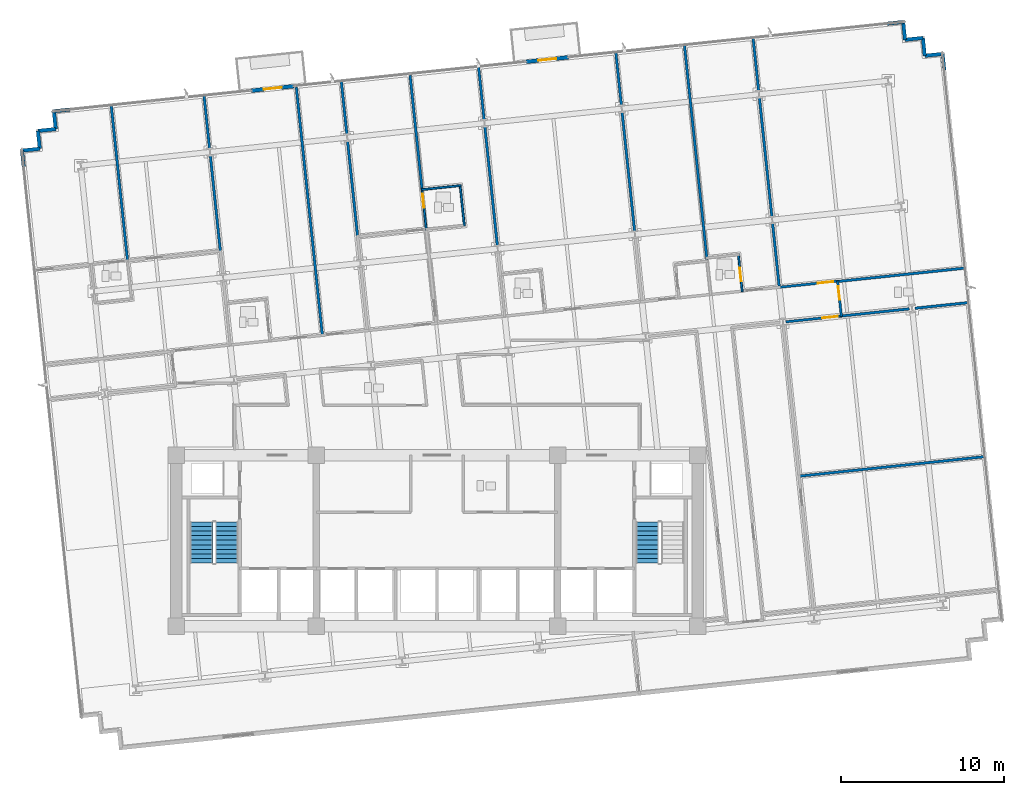
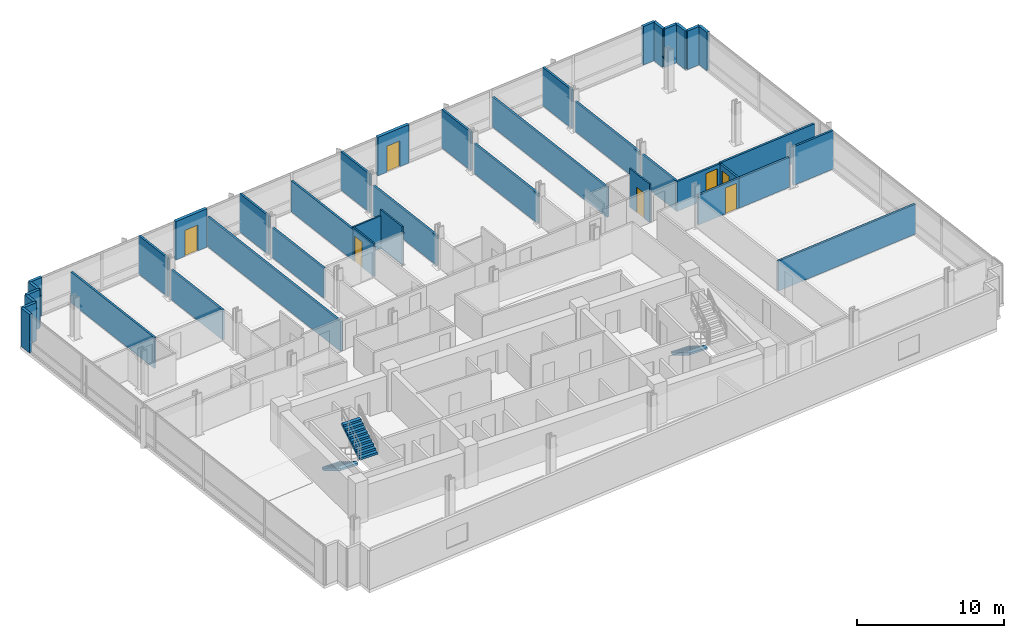
# One storey, part 13 of 20: 40 walls, 7 doors, 3 stair flights, 7 openings, 2 elements without a shape of their own.
"""IFC4 building model written with IfcOpenShell, lengths in metres."""

from ifc_helpers import new_model, si_unit, direction, frame, frame_2d, origin, place, context, subcontext, project, spatial, polyline, rectangle, outline, extrude, material, layer, layer_set, type_object, element, fill, aggregate, save


model = new_model("IFC4")

# Units and contexts
model_context = context("Model", 3, precision=1e-05, world=origin(), true_north=direction((0.0, 1.0)))
body_context = subcontext(model_context, "Body", "Model", "MODEL_VIEW")
ifc_project = project(units=[si_unit("LENGTHUNIT", "METRE"), si_unit("AREAUNIT", "SQUARE_METRE"), si_unit("VOLUMEUNIT", "CUBIC_METRE"), si_unit("PLANEANGLEUNIT", "RADIAN"), si_unit("MASSUNIT", "GRAM", prefix="KILO")], contexts=[model_context])

# Site, building, storey
site_placement = place(None, origin())
site = spatial("IfcSite", under=ifc_project, at=site_placement, CompositionType="ELEMENT")
building_placement = place(site_placement, origin())
building = spatial("IfcBuilding", under=site, at=building_placement, Name="Solmavex Isthmus Hotel", CompositionType="ELEMENT")
storey_placement = place(building_placement, frame((0.0, 0.0, 87.0)))
storey = spatial("IfcBuildingStorey", under=building, at=storey_placement, Name="L23", CompositionType="ELEMENT", Elevation=87.0)

# Wall, opening, door
ifc_material_1 = material(Name="Precast Concrete C40/50", Category="concrete")
ifc_layer_1 = layer(ifc_material_1, 0.25)
ifc_layer_set_1 = layer_set([ifc_layer_1], Name="Precast Concrete C40/50")
wall_type_1 = type_object("IfcWallType", Name="EW-TWR-250", PredefinedType="STANDARD", material=ifc_layer_set_1)
wall_1_placement = place(storey_placement, frame((-11.374267578125, 19.859130859375, 0.0), z_axis=(0.0, 0.0, 1.0), x_axis=(0.994524472508, 0.104503940512, 0.0)))
wall_1 = element("IfcWall", 1, at=wall_1_placement, inside=storey, type_object=wall_type_1, Name="Exterior Balcony Door Wall L23-2", PredefinedType="STANDARD", context=body_context, shape_type="SweptSolid", body=[
    extrude(rectangle(XDim=2.60009765625, YDim=0.239990234375, at=frame_2d((1.300048828125, 0.0))), origin(), (0.0, 0.0, 1.0), 3.18994140625),
])
opening_1_placement = place(wall_1_placement, frame((0.75, 0.0, 0.0)))
opening_1 = element("IfcOpeningElement", 2, at=opening_1_placement, cuts=wall_1, Name="Opening ED-02", PredefinedType="OPENING", context=body_context, shape_type="SweptSolid", body=[
    extrude(rectangle(XDim=1.10009765625, YDim=2.14990234375, at=frame_2d((0.550048828125, 1.074951171875))), frame((0.0, 0.1298828125, 0.0), z_axis=(0.0, -1.0, 0.0), x_axis=(1.0, 0.0, 0.0)), (0.0, 0.0, 1.0), 0.260009765625),
])
ifc_material_2 = material(Name="Aluminium alloy 6063-T6", Category="aluminium")
door_type_1 = type_object("IfcDoorType", Name="EDR-BALC-1100", OperationType="NOTDEFINED", PredefinedType="DOOR", material=ifc_material_2)
door_1_placement = place(opening_1_placement, origin())
door_1 = element("IfcDoor", 3, at=door_1_placement, inside=storey, type_object=door_type_1, Name="Balcony & Terrace Glazed Door L23-2", OperationType="SINGLE_SWING_RIGHT", OverallHeight=2.14990234375, OverallWidth=1.10009765625, PredefinedType="DOOR", context=body_context, shape_type="SweptSolid", body=[
    extrude(rectangle(XDim=1.10009765625, YDim=2.14990234375, at=frame_2d((0.550048828125, 1.074951171875))), frame((0.0, 0.02490234375, 0.0), z_axis=(0.0, -1.0, 0.0), x_axis=(1.0, 0.0, 0.0)), (0.0, 0.0, 1.0), 0.050048828125),
])
fill(opening_1, door_1)

wall_2_placement = place(storey_placement, frame((5.465087890625, 21.629150390625, 0.0), z_axis=(0.0, 0.0, 1.0), x_axis=(0.994523446942, 0.104513699976, 0.0)))
wall_2 = element("IfcWall", 4, at=wall_2_placement, inside=storey, type_object=wall_type_1, Name="Exterior Balcony Door Wall L23-3", PredefinedType="STANDARD", context=body_context, shape_type="SweptSolid", body=[
    extrude(rectangle(XDim=2.599853515625, YDim=0.239990234375, at=frame_2d((1.2998046875, 0.0))), origin(), (0.0, 0.0, 1.0), 3.18994140625),
])
opening_2_placement = place(wall_2_placement, frame((0.75, 0.0, 0.0)))
opening_2 = element("IfcOpeningElement", 5, at=opening_2_placement, cuts=wall_2, Name="Opening ED-02", PredefinedType="OPENING", context=body_context, shape_type="SweptSolid", body=[
    extrude(rectangle(XDim=1.10009765625, YDim=2.14990234375, at=frame_2d((0.550048828125, 1.074951171875))), frame((0.0, 0.1298828125, 0.0), z_axis=(0.0, -1.0, 0.0), x_axis=(1.0, 0.0, 0.0)), (0.0, 0.0, 1.0), 0.260009765625),
])
door_2_placement = place(opening_2_placement, origin())
door_2 = element("IfcDoor", 6, at=door_2_placement, inside=storey, type_object=door_type_1, Name="Balcony & Terrace Glazed Door L23-3", OperationType="SINGLE_SWING_LEFT", OverallHeight=2.14990234375, OverallWidth=1.10009765625, PredefinedType="DOOR", context=body_context, shape_type="SweptSolid", body=[
    extrude(rectangle(XDim=1.10009765625, YDim=2.14990234375, at=frame_2d((0.550048828125, 1.074951171875))), frame((0.0, 0.02490234375, 0.0), z_axis=(0.0, -1.0, 0.0), x_axis=(1.0, 0.0, 0.0)), (0.0, 0.0, 1.0), 0.050048828125),
])
fill(opening_2, door_2)

# Walls
wall_3_placement = place(storey_placement, frame((-25.35400390625, 15.1923828125, 0.0), z_axis=(0.0, 0.0, 1.0), x_axis=(-0.104556418955, 0.99451895671, 0.0)))
element("IfcWall", 7, at=wall_3_placement, inside=storey, type_object=wall_type_1, Name="Serrated Corner Facade Panel L23-07", PredefinedType="STANDARD", context=body_context, shape_type="SweptSolid", body=[
    extrude(rectangle(XDim=0.989990234375, YDim=0.219970703125, at=frame_2d((0.4951171875, 0.0))), origin(), (0.0, 0.0, 1.0), 3.18994140625),
])
wall_4_placement = place(storey_placement, frame((-25.45751953125, 16.177001953125, 0.0), z_axis=(0.0, 0.0, 1.0), x_axis=(0.994521251134, 0.104534592565, 0.0)))
element("IfcWall", 8, at=wall_4_placement, inside=storey, type_object=wall_type_1, Name="Serrated Corner Facade Panel L23-08", PredefinedType="STANDARD", context=body_context, shape_type="SweptSolid", body=[
    extrude(rectangle(XDim=1.10009765625, YDim=0.219970703125, at=frame_2d((0.550048828125, 0.0))), origin(), (0.0, 0.0, 1.0), 3.18994140625),
])
wall_5_placement = place(storey_placement, frame((-24.363525390625, 16.2919921875, 0.0), z_axis=(0.0, 0.0, 1.0), x_axis=(-0.104557671117, 0.994518825066, 0.0)))
element("IfcWall", 9, at=wall_5_placement, inside=storey, type_object=wall_type_1, Name="Serrated Corner Facade Panel L23-09", PredefinedType="STANDARD", context=body_context, shape_type="SweptSolid", body=[
    extrude(rectangle(XDim=1.099853515625, YDim=0.219970703125, at=frame_2d((0.5498046875, 0.0))), origin(), (0.0, 0.0, 1.0), 3.18994140625),
])
for number, where, z_axis, x_axis, name in (
    (10, (-24.478515625, 17.3857421875, 0.0), (0.0, 0.0, 1.0), (0.994521251134, 0.104534592565, 0.0), "Serrated Corner Facade Panel L23-10"),
    (11, (-23.384521484375, 17.500732421875, 0.0), (0.0, 0.0, 1.0), (-0.104534592565, 0.994521251134, 0.0), "Serrated Corner Facade Panel L23-11"),
):
    element("IfcWall", number, at=place(storey_placement, frame(where, z_axis=z_axis, x_axis=x_axis)), inside=storey, type_object=wall_type_1, Name=name, PredefinedType="STANDARD", context=body_context, shape_type="SweptSolid", body=[
        extrude(rectangle(XDim=1.10009765625, YDim=0.219970703125, at=frame_2d((0.550048828125, 0.0))), origin(), (0.0, 0.0, 1.0), 3.18994140625),
    ])
wall_6_placement = place(storey_placement, frame((-23.49951171875, 18.5947265625, 0.0), z_axis=(0.0, 0.0, 1.0), x_axis=(0.99451895671, 0.104556418955, 0.0)))
element("IfcWall", 12, at=wall_6_placement, inside=storey, type_object=wall_type_1, Name="Serrated Corner Facade Panel L23-12", PredefinedType="STANDARD", context=body_context, shape_type="SweptSolid", body=[
    extrude(rectangle(XDim=0.989990234375, YDim=0.219970703125, at=frame_2d((0.4951171875, 0.0))), origin(), (0.0, 0.0, 1.0), 3.18994140625),
])
wall_7_placement = place(storey_placement, frame((27.609130859375, 23.966552734375, 0.0), z_axis=(0.0, 0.0, 1.0), x_axis=(0.994516259927, 0.104582067016, 0.0)))
element("IfcWall", 13, at=wall_7_placement, inside=storey, type_object=wall_type_1, Name="Serrated Corner Facade Panel L23-14", PredefinedType="STANDARD", context=body_context, shape_type="SweptSolid", body=[
    extrude(rectangle(XDim=0.98974609375, YDim=0.219970703125, at=frame_2d((0.494873046875, 0.0))), origin(), (0.0, 0.0, 1.0), 3.18994140625),
])
for number, where, z_axis, x_axis, name in (
    (14, (28.593505859375, 24.070068359375, 0.0), (0.0, 0.0, 1.0), (0.104534592565, -0.994521251134, 0.0), "Serrated Corner Facade Panel L23-15"),
    (15, (28.70849609375, 22.97607421875, 0.0), (0.0, 0.0, 1.0), (0.994521251134, 0.104534592565, 0.0), "Serrated Corner Facade Panel L23-16"),
    (16, (29.802490234375, 23.091064453125, 0.0), (0.0, 0.0, 1.0), (0.104534592565, -0.994521251134, 0.0), "Serrated Corner Facade Panel L23-17"),
    (17, (29.91748046875, 21.9970703125, 0.0), (0.0, 0.0, 1.0), (0.994521251134, 0.104534592565, 0.0), "Serrated Corner Facade Panel L23-18"),
):
    element("IfcWall", number, at=place(storey_placement, frame(where, z_axis=z_axis, x_axis=x_axis)), inside=storey, type_object=wall_type_1, Name=name, PredefinedType="STANDARD", context=body_context, shape_type="SweptSolid", body=[
        extrude(rectangle(XDim=1.10009765625, YDim=0.219970703125, at=frame_2d((0.550048828125, 0.0))), origin(), (0.0, 0.0, 1.0), 3.18994140625),
    ])
wall_8_placement = place(storey_placement, frame((31.011474609375, 22.112060546875, 0.0), z_axis=(0.0, 0.0, 1.0), x_axis=(0.104556418955, -0.99451895671, 0.0)))
element("IfcWall", 18, at=wall_8_placement, inside=storey, type_object=wall_type_1, Name="Serrated Corner Facade Panel L23-19", PredefinedType="STANDARD", context=body_context, shape_type="SweptSolid", body=[
    extrude(rectangle(XDim=0.989990234375, YDim=0.219970703125, at=frame_2d((0.4951171875, 0.0))), origin(), (0.0, 0.0, 1.0), 3.18994140625),
])
ifc_material_3 = material(Name="Gypsum plasterboard lining", Category="gypsum")
ifc_layer_2 = layer(ifc_material_3, 0.159912109375)
ifc_layer_set_2 = layer_set([ifc_layer_2], Name="Gypsum plasterboard lining")
wall_type_2 = type_object("IfcWallType", Name="IW-COMP-160", PredefinedType="PARTITIONING", material=ifc_layer_set_2)
wall_9_placement = place(storey_placement, frame((-19.988037109375, 18.994140625, 0.0), z_axis=(0.0, 0.0, 1.0), x_axis=(0.104533521725, -0.99452136369, 0.0)))
element("IfcWall", 19, at=wall_9_placement, inside=storey, type_object=wall_type_2, Name="Interior Partition Wall W-L23-P047", PredefinedType="PARTITIONING", context=body_context, shape_type="SweptSolid", body=[
    extrude(rectangle(XDim=9.662109375, YDim=0.159912109375, at=frame_2d((4.8310546875, 0.0))), origin(), (0.0, 0.0, 1.0), 2.55322265625),
])
wall_10_placement = place(storey_placement, frame((-14.29541015625, 19.59228515625, 0.0), z_axis=(0.0, 0.0, 1.0), x_axis=(0.10455555946, -0.99451904707, 0.0)))
element("IfcWall", 20, at=wall_10_placement, inside=storey, type_object=wall_type_2, Name="Interior Partition Wall W-L23-P049", PredefinedType="PARTITIONING", context=body_context, shape_type="SweptSolid", body=[
    extrude(rectangle(XDim=3.34375, YDim=0.159912109375, at=frame_2d((1.671875, 0.0))), origin(), (0.0, 0.0, 1.0), 3.18994140625),
])
wall_11_placement = place(storey_placement, frame((-13.908935546875, 15.91650390625, 0.0), z_axis=(0.0, 0.0, 1.0), x_axis=(0.10451862243, -0.994522929633, 0.0)))
element("IfcWall", 21, at=wall_11_placement, inside=storey, type_object=wall_type_2, Name="Interior Partition Wall W-L23-P050", PredefinedType="PARTITIONING", context=body_context, shape_type="SweptSolid", body=[
    extrude(rectangle(XDim=5.9658203125, YDim=0.159912109375, at=frame_2d((2.98291015625, 0.0))), origin(), (0.0, 0.0, 1.0), 2.4794921875),
])
wall_12_placement = place(storey_placement, frame((-8.630859375, 20.067138671875, 0.0), z_axis=(0.0, 0.0, 1.0), x_axis=(0.10453068975, -0.994521661353, 0.0)))
element("IfcWall", 22, at=wall_12_placement, inside=storey, type_object=wall_type_2, Name="Interior Partition Wall W-L23-P053", PredefinedType="PARTITIONING", context=body_context, shape_type="SweptSolid", body=[
    extrude(rectangle(XDim=15.340087890625, YDim=0.159912109375, at=frame_2d((7.669921875, 0.0))), origin(), (0.0, 0.0, 1.0), 2.4794921875),
])
wall_13_placement = place(storey_placement, frame((-5.875732421875, 20.477294921875, 0.0), z_axis=(0.0, 0.0, 1.0), x_axis=(0.10455555946, -0.99451904707, 0.0)))
element("IfcWall", 23, at=wall_13_placement, inside=storey, type_object=wall_type_2, Name="Interior Partition Wall W-L23-P056", PredefinedType="PARTITIONING", context=body_context, shape_type="SweptSolid", body=[
    extrude(rectangle(XDim=3.34375, YDim=0.159912109375, at=frame_2d((1.671875, 0.0))), origin(), (0.0, 0.0, 1.0), 3.18994140625),
])
wall_14_placement = place(storey_placement, frame((-5.4892578125, 16.80126953125, 0.0), z_axis=(0.0, 0.0, 1.0), x_axis=(0.104519783483, -0.994522807612, 0.0)))
element("IfcWall", 24, at=wall_14_placement, inside=storey, type_object=wall_type_2, Name="Interior Partition Wall W-L23-P057", PredefinedType="PARTITIONING", context=body_context, shape_type="SweptSolid", body=[
    extrude(rectangle(XDim=6.0078125, YDim=0.159912109375, at=frame_2d((3.00390625, 0.0))), origin(), (0.0, 0.0, 1.0), 2.4794921875),
])
wall_15_placement = place(storey_placement, frame((-1.6533203125, 20.800537109375, 0.0), z_axis=(0.0, 0.0, 1.0), x_axis=(0.104513767091, -0.994523439889, 0.0)))
element("IfcWall", 25, at=wall_15_placement, inside=storey, type_object=wall_type_2, Name="Interior Partition Wall W-L23-P060", PredefinedType="PARTITIONING", context=body_context, shape_type="SweptSolid", body=[
    extrude(rectangle(XDim=7.134033203125, YDim=0.159912109375, at=frame_2d((3.56689453125, 0.0))), origin(), (0.0, 0.0, 1.0), 2.55322265625),
])
wall_16_placement = place(storey_placement, frame((2.5439453125, 21.3623046875, 0.0), z_axis=(0.0, 0.0, 1.0), x_axis=(0.10455555946, -0.99451904707, 0.0)))
element("IfcWall", 26, at=wall_16_placement, inside=storey, type_object=wall_type_2, Name="Interior Partition Wall W-L23-P065", PredefinedType="PARTITIONING", context=body_context, shape_type="SweptSolid", body=[
    extrude(rectangle(XDim=3.34375, YDim=0.159912109375, at=frame_2d((1.671875, 0.0))), origin(), (0.0, 0.0, 1.0), 3.18994140625),
])
wall_17_placement = place(storey_placement, frame((2.93017578125, 17.686279296875, 0.0), z_axis=(0.0, 0.0, 1.0), x_axis=(0.104555973927, -0.994519003497, 0.0)))
element("IfcWall", 27, at=wall_17_placement, inside=storey, type_object=wall_type_2, Name="Interior Partition Wall W-L23-P066", PredefinedType="PARTITIONING", context=body_context, shape_type="SweptSolid", body=[
    extrude(rectangle(XDim=7.399658203125, YDim=0.159912109375, at=frame_2d((3.69970703125, 0.0))), origin(), (0.0, 0.0, 1.0), 2.4794921875),
])
wall_18_placement = place(storey_placement, frame((10.963623046875, 22.2470703125, 0.0), z_axis=(0.0, 0.0, 1.0), x_axis=(0.10448334315, -0.994526636649, 0.0)))
element("IfcWall", 28, at=wall_18_placement, inside=storey, type_object=wall_type_2, Name="Interior Partition Wall W-L23-P071", PredefinedType="PARTITIONING", context=body_context, shape_type="SweptSolid", body=[
    extrude(rectangle(XDim=3.34375, YDim=0.159912109375, at=frame_2d((1.671875, 0.0))), origin(), (0.0, 0.0, 1.0), 3.18994140625),
])
wall_19_placement = place(storey_placement, frame((11.349853515625, 18.5712890625, 0.0), z_axis=(0.0, 0.0, 1.0), x_axis=(0.104523341075, -0.994522433719, 0.0)))
element("IfcWall", 29, at=wall_19_placement, inside=storey, type_object=wall_type_2, Name="Interior Partition Wall W-L23-P072", PredefinedType="PARTITIONING", context=body_context, shape_type="SweptSolid", body=[
    extrude(rectangle(XDim=7.399658203125, YDim=0.159912109375, at=frame_2d((3.69970703125, 0.0))), origin(), (0.0, 0.0, 1.0), 2.4794921875),
])
wall_20_placement = place(storey_placement, frame((15.17333984375, 22.689697265625, 0.0), z_axis=(0.0, 0.0, 1.0), x_axis=(0.104531343509, -0.994521592639, 0.0)))
element("IfcWall", 30, at=wall_20_placement, inside=storey, type_object=wall_type_2, Name="Interior Partition Wall W-L23-P076", PredefinedType="PARTITIONING", context=body_context, shape_type="SweptSolid", body=[
    extrude(rectangle(XDim=13.251953125, YDim=0.159912109375, at=frame_2d((6.6259765625, 0.0))), origin(), (0.0, 0.0, 1.0), 2.4794921875),
])
wall_21_placement = place(storey_placement, frame((19.383056640625, 23.132080078125, 0.0), z_axis=(0.0, 0.0, 1.0), x_axis=(0.10455555946, -0.99451904707, 0.0)))
element("IfcWall", 31, at=wall_21_placement, inside=storey, type_object=wall_type_2, Name="Interior Partition Wall W-L23-P080", PredefinedType="PARTITIONING", context=body_context, shape_type="SweptSolid", body=[
    extrude(rectangle(XDim=3.34375, YDim=0.159912109375, at=frame_2d((1.671875, 0.0))), origin(), (0.0, 0.0, 1.0), 3.18994140625),
])
wall_22_placement = place(storey_placement, frame((19.76953125, 19.456298828125, 0.0), z_axis=(0.0, 0.0, 1.0), x_axis=(0.104523341075, -0.994522433719, 0.0)))
element("IfcWall", 32, at=wall_22_placement, inside=storey, type_object=wall_type_2, Name="Interior Partition Wall W-L23-P081", PredefinedType="PARTITIONING", context=body_context, shape_type="SweptSolid", body=[
    extrude(rectangle(XDim=7.399658203125, YDim=0.159912109375, at=frame_2d((3.69970703125, 0.0))), origin(), (0.0, 0.0, 1.0), 2.4794921875),
])
wall_23_placement = place(storey_placement, frame((20.579833984375, 11.74658203125, 0.0), z_axis=(0.0, 0.0, 1.0), x_axis=(0.104551732594, -0.994519449388, 0.0)))
element("IfcWall", 33, at=wall_23_placement, inside=storey, type_object=wall_type_2, Name="Interior Partition Wall W-L23-P082", PredefinedType="PARTITIONING", context=body_context, shape_type="SweptSolid", body=[
    extrude(rectangle(XDim=4.01171875, YDim=0.159912109375, at=frame_2d((2.005859375, 0.0))), origin(), (0.0, 0.0, 1.0), 2.4794921875),
])
wall_24_placement = place(storey_placement, frame((32.422119140625, 8.9775390625, 0.0), z_axis=(0.0, 0.0, 1.0), x_axis=(-0.994522987852, -0.104518068455, 0.0)))
element("IfcWall", 34, at=wall_24_placement, inside=storey, type_object=wall_type_2, Name="Interior Partition Wall W-L23-P083", PredefinedType="PARTITIONING", context=body_context, shape_type="SweptSolid", body=[
    extrude(rectangle(XDim=7.927978515625, YDim=0.159912109375, at=frame_2d((3.9638671875, 0.0))), origin(), (0.0, 0.0, 1.0), 2.55322265625),
])
wall_25_placement = place(storey_placement, frame((28.96875, 6.472900390625, 0.0), z_axis=(0.0, 0.0, 1.0), x_axis=(-0.994520616656, -0.104540628691, 0.0)))
element("IfcWall", 35, at=wall_25_placement, inside=storey, type_object=wall_type_2, Name="Interior Partition Wall W-L23-P084", PredefinedType="PARTITIONING", context=body_context, shape_type="SweptSolid", body=[
    extrude(rectangle(XDim=4.231689453125, YDim=0.159912109375, at=frame_2d((2.11572265625, 0.0))), origin(), (0.0, 0.0, 1.0), 2.4794921875),
])
wall_26_placement = place(storey_placement, frame((32.644775390625, 6.859130859375, 0.0), z_axis=(0.0, 0.0, 1.0), x_axis=(-0.994526636649, -0.10448334315, 0.0)))
element("IfcWall", 36, at=wall_26_placement, inside=storey, type_object=wall_type_2, Name="Interior Partition Wall W-L23-P085", PredefinedType="PARTITIONING", context=body_context, shape_type="SweptSolid", body=[
    extrude(rectangle(XDim=3.34375, YDim=0.159912109375, at=frame_2d((1.671875, 0.0))), origin(), (0.0, 0.0, 1.0), 3.18994140625),
])
wall_27_placement = place(storey_placement, frame((22.173095703125, -3.793701171875, 0.0), z_axis=(0.0, 0.0, 1.0), x_axis=(0.994523425118, 0.104513907644, 0.0)))
element("IfcWall", 37, at=wall_27_placement, inside=storey, type_object=wall_type_2, Name="Interior Partition Wall W-L23-P094", PredefinedType="PARTITIONING", context=body_context, shape_type="SweptSolid", body=[
    extrude(rectangle(XDim=11.528076171875, YDim=0.159912109375, at=frame_2d((5.76416015625, 0.0))), origin(), (0.0, 0.0, 1.0), 2.4794921875),
])

# Wall, opening, door
ifc_layer_3 = layer(ifc_material_3, 0.14990234375)
ifc_layer_set_3 = layer_set([ifc_layer_3], Name="Gypsum plasterboard lining")
wall_type_3 = type_object("IfcWallType", Name="IW-CORR-150", PredefinedType="PARTITIONING", material=ifc_layer_set_3)
wall_28_placement = place(storey_placement, frame((20.913330078125, 7.7880859375, 0.0), z_axis=(0.0, 0.0, 1.0), x_axis=(0.994525920558, 0.104490159046, 0.0)))
wall_28 = element("IfcWall", 38, at=wall_28_placement, inside=storey, type_object=wall_type_3, Name="Interior Partition Wall W-L23-P013", PredefinedType="PARTITIONING", context=body_context, shape_type="SweptSolid", body=[
    extrude(rectangle(XDim=3.721923828125, YDim=0.14990234375, at=frame_2d((1.86083984375, 0.0))), origin(), (0.0, 0.0, 1.0), 2.4794921875),
])
opening_3_placement = place(wall_28_placement, frame((2.456787109375, 0.0, 0.0)))
opening_3 = element("IfcOpeningElement", 39, at=opening_3_placement, cuts=wall_28, Name="Opening ID-C095", PredefinedType="OPENING", context=body_context, shape_type="SweptSolid", body=[
    extrude(rectangle(XDim=0.949951171875, YDim=2.14990234375, at=frame_2d((0.47509765625, 1.074951171875))), frame((0.0, 0.0849609375, 0.0), z_axis=(0.0, -1.0, 0.0), x_axis=(1.0, 0.0, 0.0)), (0.0, 0.0, 1.0), 0.169921875),
])
ifc_material_4 = material(Name="Hardwood timber", Category="wood")
door_type_2 = type_object("IfcDoorType", Name="IDR-FD60-0950", OperationType="NOTDEFINED", PredefinedType="DOOR", material=ifc_material_4)
door_3_placement = place(opening_3_placement, origin())
door_3 = element("IfcDoor", 40, at=door_3_placement, inside=storey, type_object=door_type_2, Name="Corporate Briefing Office Door L23-18", OperationType="SINGLE_SWING_RIGHT", OverallHeight=2.14990234375, OverallWidth=0.949951171875, PredefinedType="DOOR", context=body_context, shape_type="SweptSolid", body=[
    extrude(rectangle(XDim=0.949951171875, YDim=2.14990234375, at=frame_2d((0.47509765625, 1.074951171875))), frame((0.0, 0.02490234375, 0.0), z_axis=(0.0, -1.0, 0.0), x_axis=(1.0, 0.0, 0.0)), (0.0, 0.0, 1.0), 0.050048828125),
])
fill(opening_3, door_3)

wall_29_placement = place(storey_placement, frame((24.5732421875, 8.19287109375, 0.0), z_axis=(0.0, 0.0, 1.0), x_axis=(0.104500773718, -0.994524805267, 0.0)))
wall_29 = element("IfcWall", 41, at=wall_29_placement, inside=storey, type_object=wall_type_3, Name="Interior Partition Wall W-L23-P019", PredefinedType="PARTITIONING", context=body_context, shape_type="SweptSolid", body=[
    extrude(rectangle(XDim=2.210205078125, YDim=0.14990234375, at=frame_2d((1.10498046875, 0.0))), origin(), (0.0, 0.0, 1.0), 2.4794921875),
])
opening_4_placement = place(wall_29_placement, frame((0.322265625, 0.0, 0.0)))
opening_4 = element("IfcOpeningElement", 42, at=opening_4_placement, cuts=wall_29, Name="Opening ID-R085", PredefinedType="OPENING", context=body_context, shape_type="SweptSolid", body=[
    extrude(rectangle(XDim=0.85009765625, YDim=2.050048828125, at=frame_2d((0.425048828125, 1.02490234375))), frame((0.0, 0.0849609375, 0.0), z_axis=(0.0, -1.0, 0.0), x_axis=(1.0, 0.0, 0.0)), (0.0, 0.0, 1.0), 0.169921875),
])
ifc_material_5 = material(Name="Steel ASTM A500 Grade C", Category="steel")
door_type_3 = type_object("IfcDoorType", Name="IDR-FD60-0850", OperationType="NOTDEFINED", PredefinedType="DOOR", material=ifc_material_5)
door_4_placement = place(opening_4_placement, origin())
door_4 = element("IfcDoor", 43, at=door_4_placement, inside=storey, type_object=door_type_3, Name="Public Restroom WC Door L23-20", OperationType="SINGLE_SWING_RIGHT", OverallHeight=2.050048828125, OverallWidth=0.85009765625, PredefinedType="DOOR", context=body_context, shape_type="SweptSolid", body=[
    extrude(rectangle(XDim=0.85009765625, YDim=2.050048828125, at=frame_2d((0.425048828125, 1.02490234375))), frame((0.0, 0.02490234375, 0.0), z_axis=(0.0, -1.0, 0.0), x_axis=(1.0, 0.0, 0.0)), (0.0, 0.0, 1.0), 0.050048828125),
])
fill(opening_4, door_4)

wall_30_placement = place(storey_placement, frame((24.83984375, 6.038818359375, 0.0), z_axis=(0.0, 0.0, 1.0), x_axis=(-0.994522047476, -0.104527016046, 0.0)))
wall_30 = element("IfcWall", 44, at=wall_30_placement, inside=storey, type_object=wall_type_3, Name="Interior Partition Wall W-L23-P036", PredefinedType="PARTITIONING", context=body_context, shape_type="SweptSolid", body=[
    extrude(rectangle(XDim=3.4638671875, YDim=0.14990234375, at=frame_2d((1.73193359375, 0.0))), origin(), (0.0, 0.0, 1.0), 2.4794921875),
])
opening_5_placement = place(wall_30_placement, frame((0.26220703125, 0.0, 0.0)))
opening_5 = element("IfcOpeningElement", 45, at=opening_5_placement, cuts=wall_30, Name="Opening ID-C095", PredefinedType="OPENING", context=body_context, shape_type="SweptSolid", body=[
    extrude(rectangle(XDim=0.949951171875, YDim=2.14990234375, at=frame_2d((0.47509765625, 1.074951171875))), frame((0.0, 0.0849609375, 0.0), z_axis=(0.0, -1.0, 0.0), x_axis=(1.0, 0.0, 0.0)), (0.0, 0.0, 1.0), 0.169921875),
])
door_5_placement = place(opening_5_placement, frame((0.949951171875, 0.0, 0.0), z_axis=(0.0, 0.0, 1.0), x_axis=(-1.0, 0.0, 0.0)))
door_5 = element("IfcDoor", 46, at=door_5_placement, inside=storey, type_object=door_type_2, Name="Reading Library Door L23-27", OperationType="SINGLE_SWING_LEFT", OverallHeight=2.14990234375, OverallWidth=0.949951171875, PredefinedType="DOOR", context=body_context, shape_type="SweptSolid", body=[
    extrude(rectangle(XDim=0.949951171875, YDim=2.14990234375, at=frame_2d((0.47509765625, 1.074951171875))), frame((0.0, 0.02490234375, 0.0), z_axis=(0.0, -1.0, 0.0), x_axis=(1.0, 0.0, 0.0)), (0.0, 0.0, 1.0), 0.050048828125),
])
fill(opening_5, door_5)

ifc_layer_4 = layer(ifc_material_3, 0.1201171875)
ifc_layer_set_4 = layer_set([ifc_layer_4], Name="Gypsum plasterboard lining")
wall_type_4 = type_object("IfcWallType", Name="IW-PART-120", PredefinedType="PARTITIONING", material=ifc_layer_set_4)
wall_31_placement = place(storey_placement, frame((-0.9248046875, 13.86865234375, 0.0), z_axis=(0.0, 0.0, 1.0), x_axis=(0.104511838358, -0.994523642576, 0.0)))
wall_31 = element("IfcWall", 47, at=wall_31_placement, inside=storey, type_object=wall_type_4, Name="Interior Partition Wall W-L23-P061", PredefinedType="PARTITIONING", context=body_context, shape_type="SweptSolid", body=[
    extrude(rectangle(XDim=2.572021484375, YDim=0.1201171875, at=frame_2d((1.2861328125, 0.0))), origin(), (0.0, 0.0, 1.0), 2.718017578125),
])
opening_6_placement = place(wall_31_placement, frame((0.337646484375, 0.0, 0.0)))
opening_6 = element("IfcOpeningElement", 48, at=opening_6_placement, cuts=wall_31, Name="Opening ID-U085", PredefinedType="OPENING", context=body_context, shape_type="SweptSolid", body=[
    extrude(rectangle(XDim=0.85009765625, YDim=2.10009765625, at=frame_2d((0.425048828125, 1.050048828125))), frame((0.0, 0.070068359375, 0.0), z_axis=(0.0, -1.0, 0.0), x_axis=(1.0, 0.0, 0.0)), (0.0, 0.0, 1.0), 0.14013671875),
])
door_type_4 = type_object("IfcDoorType", Name="IDR-UNR-0850", OperationType="NOTDEFINED", PredefinedType="DOOR", material=ifc_material_4)
door_6_placement = place(opening_6_placement, origin())
door_6 = element("IfcDoor", 49, at=door_6_placement, inside=storey, type_object=door_type_4, Name="En-suite Bathroom Door L23-11", OperationType="SINGLE_SWING_LEFT", OverallHeight=2.10009765625, OverallWidth=0.85009765625, PredefinedType="DOOR", context=body_context, shape_type="SweptSolid", body=[
    extrude(rectangle(XDim=0.85009765625, YDim=2.10009765625, at=frame_2d((0.425048828125, 1.050048828125))), frame((0.0, 0.02490234375, 0.0), z_axis=(0.0, -1.0, 0.0), x_axis=(1.0, 0.0, 0.0)), (0.0, 0.0, 1.0), 0.050048828125),
])
fill(opening_6, door_6)

# Walls
wall_32_placement = place(storey_placement, frame((1.68115234375, 11.556396484375, 0.0), z_axis=(0.0, 0.0, 1.0), x_axis=(-0.104508968707, 0.994523944136, 0.0)))
element("IfcWall", 50, at=wall_32_placement, inside=storey, type_object=wall_type_4, Name="Interior Partition Wall W-L23-P063", PredefinedType="PARTITIONING", context=body_context, shape_type="SweptSolid", body=[
    extrude(rectangle(XDim=2.530029296875, YDim=0.1201171875, at=frame_2d((1.26513671875, 0.0))), origin(), (0.0, 0.0, 1.0), 3.18994140625),
])
wall_33_placement = place(storey_placement, frame((1.460693359375, 14.036865234375, 0.0), z_axis=(0.0, 0.0, 1.0), x_axis=(-0.994526352295, -0.104486049741, 0.0)))
element("IfcWall", 51, at=wall_33_placement, inside=storey, type_object=wall_type_4, Name="Interior Partition Wall W-L23-P064", PredefinedType="PARTITIONING", context=body_context, shape_type="SweptSolid", body=[
    extrude(rectangle(XDim=2.429931640625, YDim=0.1201171875, at=frame_2d((1.21484375, 0.0))), origin(), (0.0, 0.0, 1.0), 2.718017578125),
])

# Wall, opening, door
wall_34_placement = place(storey_placement, frame((18.725830078125, 7.517822265625, 0.0), z_axis=(0.0, 0.0, 1.0), x_axis=(-0.104461165138, 0.994528966385, 0.0)))
wall_34 = element("IfcWall", 52, at=wall_34_placement, inside=storey, type_object=wall_type_4, Name="Interior Partition Wall W-L23-P078", PredefinedType="PARTITIONING", context=body_context, shape_type="SweptSolid", body=[
    extrude(rectangle(XDim=2.330078125, YDim=0.1201171875, at=frame_2d((1.1650390625, 0.0))), origin(), (0.0, 0.0, 1.0), 3.18994140625),
])
opening_7_placement = place(wall_34_placement, frame((0.6455078125, 0.0, 0.0)))
opening_7 = element("IfcOpeningElement", 53, at=opening_7_placement, cuts=wall_34, Name="Opening ID-U085", PredefinedType="OPENING", context=body_context, shape_type="SweptSolid", body=[
    extrude(rectangle(XDim=0.85009765625, YDim=2.10009765625, at=frame_2d((0.425048828125, 1.050048828125))), frame((0.0, 0.070068359375, 0.0), z_axis=(0.0, -1.0, 0.0), x_axis=(1.0, 0.0, 0.0)), (0.0, 0.0, 1.0), 0.14013671875),
])
door_7_placement = place(opening_7_placement, origin())
door_7 = element("IfcDoor", 54, at=door_7_placement, inside=storey, type_object=door_type_4, Name="En-suite Bathroom Door L23-17", OperationType="SINGLE_SWING_LEFT", OverallHeight=2.10009765625, OverallWidth=0.85009765625, PredefinedType="DOOR", context=body_context, shape_type="SweptSolid", body=[
    extrude(rectangle(XDim=0.85009765625, YDim=2.10009765625, at=frame_2d((0.425048828125, 1.050048828125))), frame((0.0, 0.02490234375, 0.0), z_axis=(0.0, -1.0, 0.0), x_axis=(1.0, 0.0, 0.0)), (0.0, 0.0, 1.0), 0.050048828125),
])
fill(opening_7, door_7)

# Stair, stair flights
ifc_material_6 = material(Name="Concrete C40/50", Category="concrete")
stair_type_1 = type_object("IfcStairType", Name="STR-ST-1", PredefinedType="HALF_TURN_STAIR", material=ifc_material_6)
stair_1_placement = place(storey_placement, origin())
stair_1 = element("IfcStair", 55, at=stair_1_placement, inside=storey, type_object=stair_type_1, Name="L23 Protected Exit Stair ST-1", PredefinedType="HALF_TURN_STAIR")
stair_flight_type_1 = type_object("IfcStairFlightType", Name="SFL-ST-1", PredefinedType="STRAIGHT", material=ifc_material_6)
stair_flight_1_placement = place(storey_placement, frame((-14.449951171875, -6.60009765625, 0.0), z_axis=(0.0, 0.0, 1.0), x_axis=(0.0, -1.0, 0.0)))
stair_flight_1 = element("IfcStairFlight", 56, at=stair_flight_1_placement, type_object=stair_flight_type_1, Name="ST-1 flight 1", NumberOfRisers=10, NumberOfTreads=9, PredefinedType="STRAIGHT", RiserHeight=0.1725, TreadLength=0.28, context=body_context, shape_type="SweptSolid", body=[
    extrude(outline(polyline([(0.0, 0.0), (0.0, 0.172607421875), (0.280029296875, 0.172607421875), (0.280029296875, 0.344970703125), (0.56005859375, 0.344970703125), (0.56005859375, 0.517578125), (0.840087890625, 0.517578125), (0.840087890625, 0.68994140625), (1.1201171875, 0.68994140625), (1.1201171875, 0.862548828125), (1.39990234375, 0.862548828125), (1.39990234375, 1.034912109375), (1.679931640625, 1.034912109375), (1.679931640625, 1.20751953125), (1.9599609375, 1.20751953125), (1.9599609375, 1.3798828125), (2.239990234375, 1.3798828125), (2.239990234375, 1.552490234375), (2.52001953125, 1.552490234375), (2.52001953125, 1.72509765625), (2.52001953125, 1.37646484375), (0.285888671875, 0.0), (0.0, 0.0)])), frame((0.0, 0.699951171875, 0.0), z_axis=(0.0, -1.0, 0.0), x_axis=(1.0, 0.0, 0.0)), (0.0, 0.0, 1.0), 1.39990234375),
])
stair_flight_2_placement = place(storey_placement, frame((-12.89990234375, -9.1201171875, 1.72509765625), z_axis=(0.0, 0.0, 1.0), x_axis=(0.0, 1.0, 0.0)))
stair_flight_2 = element("IfcStairFlight", 57, at=stair_flight_2_placement, type_object=stair_flight_type_1, Name="ST-1 flight 2", NumberOfRisers=10, NumberOfTreads=9, PredefinedType="STRAIGHT", RiserHeight=0.1725, TreadLength=0.28, context=body_context, shape_type="SweptSolid", body=[
    extrude(outline(polyline([(0.0, 0.0), (0.0, 0.172607421875), (0.280029296875, 0.172607421875), (0.280029296875, 0.344970703125), (0.56005859375, 0.344970703125), (0.56005859375, 0.517578125), (0.840087890625, 0.517578125), (0.840087890625, 0.68994140625), (1.1201171875, 0.68994140625), (1.1201171875, 0.862548828125), (1.39990234375, 0.862548828125), (1.39990234375, 1.034912109375), (1.679931640625, 1.034912109375), (1.679931640625, 1.20751953125), (1.9599609375, 1.20751953125), (1.9599609375, 1.3798828125), (2.239990234375, 1.3798828125), (2.239990234375, 1.552490234375), (2.52001953125, 1.552490234375), (2.52001953125, 1.72509765625), (2.52001953125, 1.37646484375), (0.285888671875, 0.0), (0.0, 0.0)])), frame((0.0, 0.699951171875, 0.0), z_axis=(0.0, -1.0, 0.0), x_axis=(1.0, 0.0, 0.0)), (0.0, 0.0, 1.0), 1.39990234375),
])
aggregate(stair_1, [stair_flight_1, stair_flight_2])

# Stair, stair flight
stair_type_2 = type_object("IfcStairType", Name="STR-ST-2", PredefinedType="HALF_TURN_STAIR", material=ifc_material_6)
stair_2_placement = place(storey_placement, origin())
stair_2 = element("IfcStair", 58, at=stair_2_placement, inside=storey, type_object=stair_type_2, Name="L23 Protected Exit Stair ST-2", PredefinedType="HALF_TURN_STAIR")
stair_flight_type_2 = type_object("IfcStairFlightType", Name="SFL-ST-2", PredefinedType="STRAIGHT", material=ifc_material_6)
stair_flight_3_placement = place(storey_placement, frame((12.89990234375, -6.60009765625, 0.0), z_axis=(0.0, 0.0, 1.0), x_axis=(0.0, -1.0, 0.0)))
stair_flight_3 = element("IfcStairFlight", 59, at=stair_flight_3_placement, type_object=stair_flight_type_2, Name="ST-2 flight 1", NumberOfRisers=10, NumberOfTreads=9, PredefinedType="STRAIGHT", RiserHeight=0.1725, TreadLength=0.28, context=body_context, shape_type="SweptSolid", body=[
    extrude(outline(polyline([(0.0, 0.0), (0.0, 0.172607421875), (0.280029296875, 0.172607421875), (0.280029296875, 0.344970703125), (0.56005859375, 0.344970703125), (0.56005859375, 0.517578125), (0.840087890625, 0.517578125), (0.840087890625, 0.68994140625), (1.1201171875, 0.68994140625), (1.1201171875, 0.862548828125), (1.39990234375, 0.862548828125), (1.39990234375, 1.034912109375), (1.679931640625, 1.034912109375), (1.679931640625, 1.20751953125), (1.9599609375, 1.20751953125), (1.9599609375, 1.3798828125), (2.239990234375, 1.3798828125), (2.239990234375, 1.552490234375), (2.52001953125, 1.552490234375), (2.52001953125, 1.72509765625), (2.52001953125, 1.37646484375), (0.285888671875, 0.0), (0.0, 0.0)])), frame((0.0, 0.699951171875, 0.0), z_axis=(0.0, -1.0, 0.0), x_axis=(1.0, 0.0, 0.0)), (0.0, 0.0, 1.0), 1.39990234375),
])
aggregate(stair_2, [stair_flight_3])

save(model, "model.ifc")
